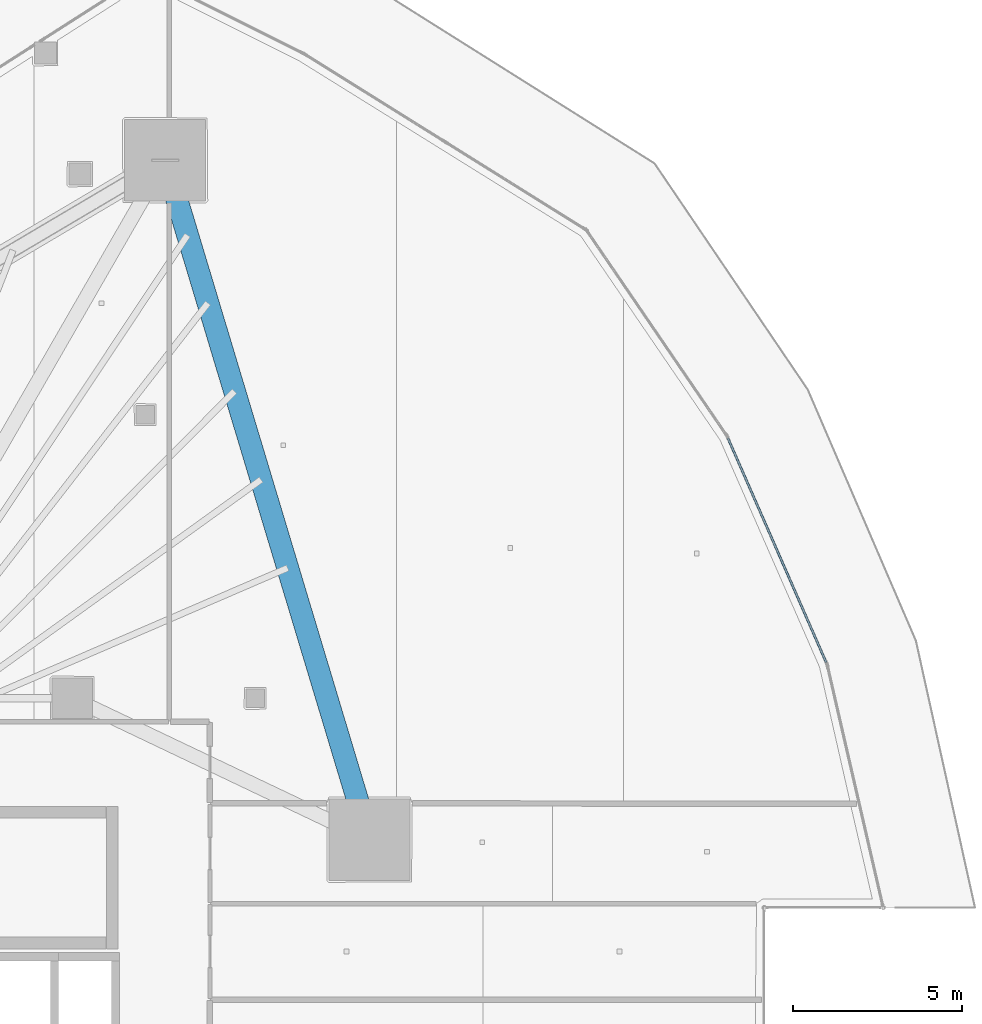
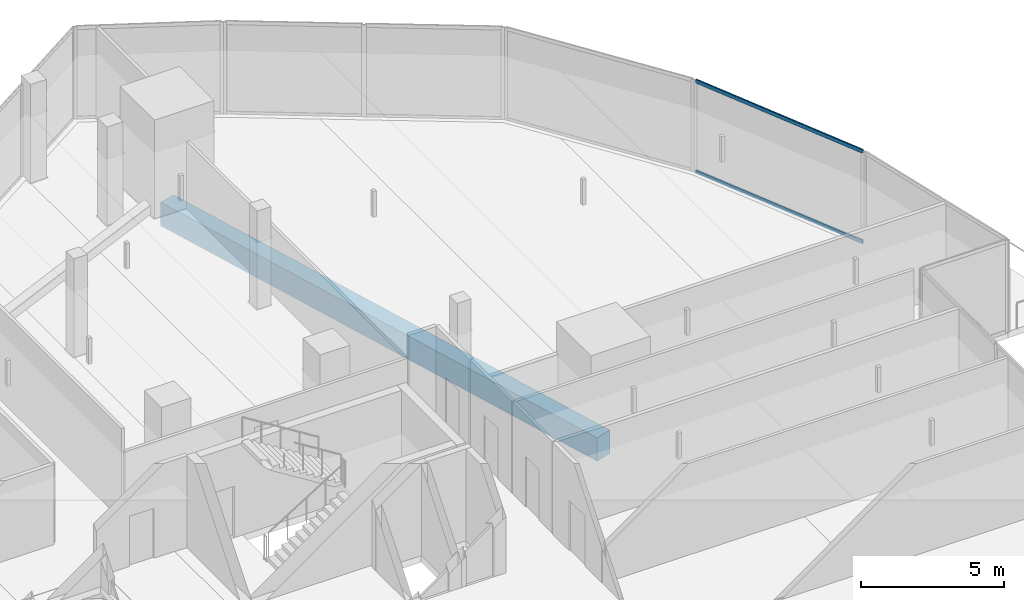
# One storey, part 27 of 52: 2 members, 1 beam, 1 element without a shape of its own.
"""IFC4 building model written with IfcOpenShell, lengths in metres."""

from ifc_helpers import new_model, si_unit, direction, frame, origin, origin_2d, place, context, subcontext, project, spatial, rectangle, hollow_rectangle, extrude, material, layer, layer_set, material_profile, profile_set, type_object, element, aggregate, save


model = new_model("IFC4")

# Units and contexts
model_context = context("Model", 3, precision=1e-05, world=origin(), true_north=direction((0.0, 1.0)))
body_context = subcontext(model_context, "Body", "Model", "MODEL_VIEW")
ifc_project = project(units=[si_unit("LENGTHUNIT", "METRE"), si_unit("AREAUNIT", "SQUARE_METRE"), si_unit("VOLUMEUNIT", "CUBIC_METRE"), si_unit("PLANEANGLEUNIT", "RADIAN"), si_unit("MASSUNIT", "GRAM", prefix="KILO")], contexts=[model_context])

# Site, building, storey
site_placement = place(None, origin())
site = spatial("IfcSite", under=ifc_project, at=site_placement, CompositionType="ELEMENT")
building_placement = place(site_placement, origin())
building = spatial("IfcBuilding", under=site, at=building_placement, Name="Qorvath Tower", CompositionType="ELEMENT")
storey_placement = place(building_placement, frame((0.0, 0.0, 61.800048828125)))
storey = spatial("IfcBuildingStorey", under=building, at=storey_placement, Name="L13", CompositionType="ELEMENT", Elevation=61.800048828125)

# Beam
ifc_material_1 = material(Name="Concrete C50/60", Category="concrete")
ifc_material_profile_1 = material_profile(ifc_material_1, rectangle(XDim=0.64990234375, YDim=1.0, at=origin_2d()), Name="RCB 1000x650")
ifc_profile_set_1 = profile_set([ifc_material_profile_1], Name="Concrete C50/60")
beam_type = type_object("IfcBeamType", Name="BM-RCB1", PredefinedType="SPANDREL", material=ifc_profile_set_1)
beam_placement = place(storey_placement, frame((-8.430419921875, 7.2763671875, -0.780029296875), z_axis=(-0.288118908799, 0.957594639914, 0.0), x_axis=(-0.957594639914, -0.288118908799, 0.0)))
element("IfcBeam", 1, at=beam_placement, inside=storey, type_object=beam_type, Name="Perimeter Loggia Frame Beam MC5-MC6 L13", PredefinedType="SPANDREL", context=body_context, shape_type="SweptSolid", body=[
    extrude(rectangle(XDim=0.64990234375, YDim=1.0, at=origin_2d()), origin(), (0.0, 0.0, 1.0), 20.942626953125),
])

# Curtain wall, members
ifc_material_2 = material(Name="Anodised aluminium and triple low-E glass", Category="aluminium")
ifc_layer = layer(ifc_material_2, 0.179931640625)
ifc_layer_set = layer_set([ifc_layer], Name="CW-SYS-2")
curtain_wall_type = type_object("IfcCurtainWallType", Name="CW-SYS-2", PredefinedType="NOTDEFINED", material=ifc_layer_set)
curtain_wall_placement = place(storey_placement, origin())
curtain_wall = element("IfcCurtainWall", 2, at=curtain_wall_placement, inside=storey, type_object=curtain_wall_type, Name="Curtain Wall CW-2 CW-T-L13-12.1", PredefinedType="NOTDEFINED")
ifc_material_3 = material(Name="Anodised aluminium 6063-T6", Category="aluminium")
ifc_material_profile_2 = material_profile(ifc_material_3, hollow_rectangle(XDim=0.06494140625, YDim=0.159912109375, WallThickness=0.00341796875, InnerFilletRadius=0.00341796875, OuterFilletRadius=0.007080078125, at=origin_2d()), Name="CWT 160x65")
ifc_profile_set_2 = profile_set([ifc_material_profile_2], Name="Anodised aluminium 6063-T6")
member_type = type_object("IfcMemberType", Name="CWT-160", PredefinedType="USERDEFINED", material=ifc_profile_set_2)
member_1_placement = place(storey_placement, frame((5.052001953125, 12.506103515625, 0.032470703125), z_axis=(-0.401254293677, 0.915966697979, 0.0), x_axis=(-0.915966697979, -0.401254293677, 0.0)))
member_1 = element("IfcMember", 3, at=member_1_placement, type_object=member_type, Name="CW-2 transom 1.1", ObjectType="TRANSOM", PredefinedType="USERDEFINED", context=body_context, shape_type="SweptSolid", body=[
    extrude(hollow_rectangle(XDim=0.06494140625, YDim=0.159912109375, WallThickness=0.00341796875, InnerFilletRadius=0.00341796875, OuterFilletRadius=0.007080078125, at=origin_2d()), origin(), (0.0, 0.0, 1.0), 7.234375),
])
member_2_placement = place(storey_placement, frame((5.052001953125, 12.506103515625, 3.887451171875), z_axis=(-0.401254293677, 0.915966697979, 0.0), x_axis=(-0.915966697979, -0.401254293677, 0.0)))
member_2 = element("IfcMember", 4, at=member_2_placement, type_object=member_type, Name="CW-2 transom 1.2", ObjectType="TRANSOM", PredefinedType="USERDEFINED", context=body_context, shape_type="SweptSolid", body=[
    extrude(hollow_rectangle(XDim=0.06494140625, YDim=0.159912109375, WallThickness=0.00341796875, InnerFilletRadius=0.00341796875, OuterFilletRadius=0.007080078125, at=origin_2d()), origin(), (0.0, 0.0, 1.0), 7.234375),
])
aggregate(curtain_wall, [member_1, member_2])

save(model, "model.ifc")
